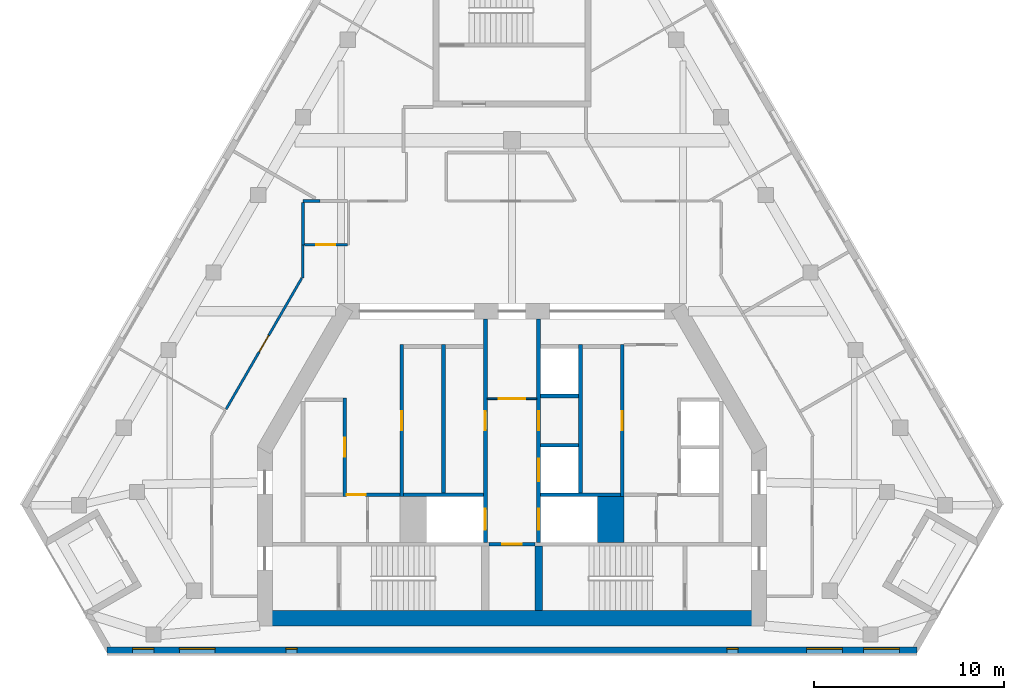
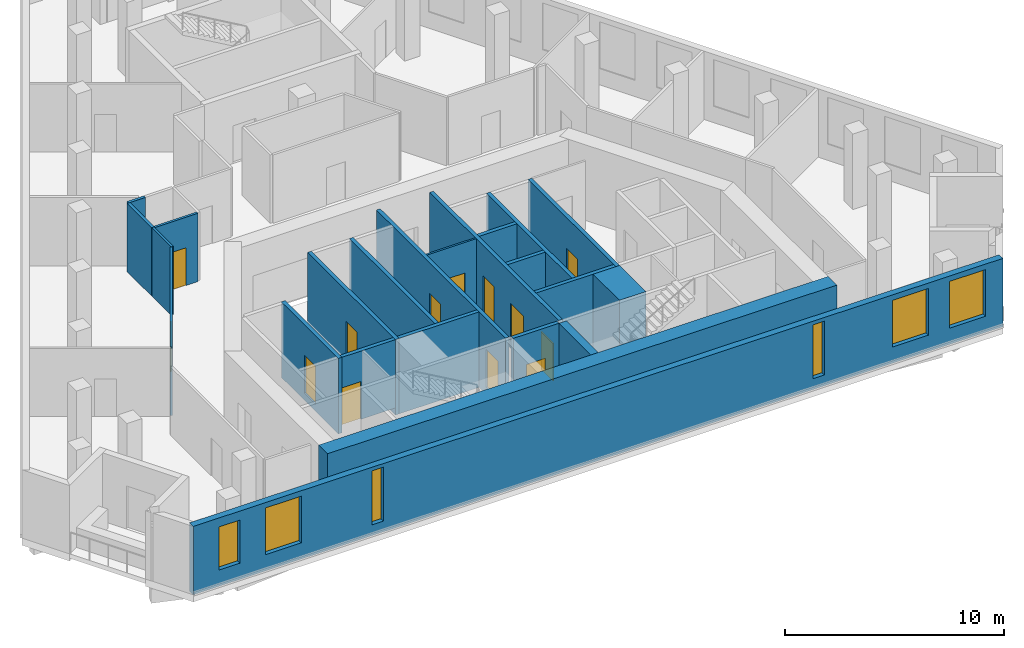
# One storey, part 3 of 8: 23 walls, 13 doors, 6 windows, 19 openings.
"""IFC4 building model written with IfcOpenShell, lengths in metres."""

from ifc_helpers import new_model, si_unit, direction, frame, frame_2d, origin, place, context, subcontext, project, spatial, rectangle, extrude, material, layer, layer_set, type_object, element, fill, save


model = new_model("IFC4")

# Units and contexts
model_context = context("Model", 3, precision=1e-05, world=origin(), true_north=direction((0.0, 1.0)))
body_context = subcontext(model_context, "Body", "Model", "MODEL_VIEW")
ifc_project = project(units=[si_unit("LENGTHUNIT", "METRE"), si_unit("AREAUNIT", "SQUARE_METRE"), si_unit("VOLUMEUNIT", "CUBIC_METRE"), si_unit("PLANEANGLEUNIT", "RADIAN"), si_unit("MASSUNIT", "GRAM", prefix="KILO")], contexts=[model_context])

# Site, building, storey
site_placement = place(None, origin())
site = spatial("IfcSite", under=ifc_project, at=site_placement, CompositionType="ELEMENT")
building_placement = place(site_placement, origin())
building = spatial("IfcBuilding", under=site, at=building_placement, Name="Fogline Exchange Tower", CompositionType="ELEMENT")
storey_placement = place(building_placement, frame((0.0, 0.0, 266.699951171875)))
storey = spatial("IfcBuildingStorey", under=building, at=storey_placement, Name="L60", CompositionType="ELEMENT", Elevation=266.699951171875)

# Wall, opening, door
ifc_material_1 = material(Name="Blockwork partition", Category="masonry")
ifc_layer_1 = layer(ifc_material_1, 0.10009765625)
ifc_layer_set_1 = layer_set([ifc_layer_1], Name="CW10")
wall_type_1 = type_object("IfcWallType", Name="CW10", PredefinedType="PARTITIONING", material=ifc_layer_set_1)
wall_1_placement = place(storey_placement, frame((-1.300048828125, 13.39990234375, 0.0), z_axis=(0.0, 0.0, 1.0), x_axis=(1.0, 0.0, 0.0)))
wall_1 = element("IfcWall", 1, at=wall_1_placement, inside=storey, type_object=wall_type_1, Name="Lift lobby partition", PredefinedType="PARTITIONING", context=body_context, shape_type="SweptSolid", body=[
    extrude(rectangle(XDim=2.60009765625, YDim=0.10009765625, at=frame_2d((1.300048828125, 0.0))), origin(), (0.0, 0.0, 1.0), 3.800048828125),
])
opening_1_placement = place(wall_1_placement, frame((0.60009765625, 0.0, 0.0)))
opening_1 = element("IfcOpeningElement", 2, at=opening_1_placement, cuts=wall_1, Name="Opening T19-C018", PredefinedType="OPENING", context=body_context, shape_type="SweptSolid", body=[
    extrude(rectangle(XDim=1.39990234375, YDim=2.10009765625, at=frame_2d((0.699951171875, 1.050048828125))), frame((0.0, 0.06005859375, 0.0), z_axis=(0.0, -1.0, 0.0), x_axis=(1.0, 0.0, 0.0)), (0.0, 0.0, 1.0), 0.1201171875),
])
ifc_material_2 = material(Name="Steel and timber fire door", Category="steel")
door_type_1 = type_object("IfcDoorType", Name="D-LB1", OperationType="DOUBLE_DOOR_SINGLE_SWING", PredefinedType="DOOR", material=ifc_material_2)
door_1_placement = place(opening_1_placement, origin())
door_1 = element("IfcDoor", 3, at=door_1_placement, inside=storey, type_object=door_type_1, Name="Door to firefighting lift lobby", OperationType="DOUBLE_DOOR_SINGLE_SWING", OverallHeight=2.10009765625, OverallWidth=1.39990234375, PredefinedType="DOOR", context=body_context, shape_type="SweptSolid", body=[
    extrude(rectangle(XDim=1.39990234375, YDim=2.10009765625, at=frame_2d((0.699951171875, 1.050048828125))), frame((0.0, 0.02490234375, 0.0), z_axis=(0.0, -1.0, 0.0), x_axis=(1.0, 0.0, 0.0)), (0.0, 0.0, 1.0), 0.050048828125),
])
fill(opening_1, door_1)

# Wall
ifc_material_3 = material(Name="Concrete C60", Category="concrete")
ifc_layer_2 = layer(ifc_material_3, 1.39990234375)
ifc_layer_set_2 = layer_set([ifc_layer_2], Name="CW140")
wall_type_2 = type_object("IfcWallType", Name="CW140", PredefinedType="SOLIDWALL", material=ifc_layer_set_2)
wall_2_placement = place(storey_placement, frame((5.199951171875, 5.85009765625, -0.39990234375), z_axis=(0.0, 0.0, 1.0), x_axis=(0.0, 1.0, 0.0)))
element("IfcWall", 4, at=wall_2_placement, inside=storey, type_object=wall_type_2, Name="Lift shaft block wall", PredefinedType="SOLIDWALL", context=body_context, shape_type="SweptSolid", body=[
    extrude(rectangle(XDim=2.39990234375, YDim=1.39990234375, at=frame_2d((1.199951171875, 0.0))), origin(), (0.0, 0.0, 1.0), 4.199951171875),
])

# Wall, opening, door
ifc_material_4 = material(Name="Concrete C40", Category="concrete")
ifc_layer_3 = layer(ifc_material_4, 0.199951171875)
ifc_layer_set_3 = layer_set([ifc_layer_3], Name="CW20")
wall_type_3 = type_object("IfcWallType", Name="CW20", PredefinedType="SOLIDWALL", material=ifc_layer_set_3)
wall_3_placement = place(storey_placement, frame((-8.699951171875, 8.35009765625, 0.0), z_axis=(0.0, 0.0, 1.0), x_axis=(1.0, 0.0, 0.0)))
wall_3 = element("IfcWall", 5, at=wall_3_placement, inside=storey, type_object=wall_type_3, Name="WC wall", PredefinedType="SOLIDWALL", context=body_context, shape_type="SweptSolid", body=[
    extrude(rectangle(XDim=2.800048828125, YDim=0.199951171875, at=frame_2d((1.39990234375, 0.0))), origin(), (0.0, 0.0, 1.0), 3.800048828125),
])
opening_2_placement = place(wall_3_placement, origin())
opening_2 = element("IfcOpeningElement", 6, at=opening_2_placement, cuts=wall_3, Name="Opening T19-C007", PredefinedType="OPENING", context=body_context, shape_type="SweptSolid", body=[
    extrude(rectangle(XDim=1.0, YDim=2.10009765625, at=frame_2d((0.5, 1.050048828125))), frame((0.0, 0.10986328125, 0.0), z_axis=(0.0, -1.0, 0.0), x_axis=(1.0, 0.0, 0.0)), (0.0, 0.0, 1.0), 0.219970703125),
])
door_type_2 = type_object("IfcDoorType", Name="D-WC1", OperationType="SINGLE_SWING_LEFT", PredefinedType="DOOR", material=ifc_material_2)
door_2_placement = place(opening_2_placement, frame((1.0, 0.0, 0.0), z_axis=(0.0, 0.0, 1.0), x_axis=(-1.0, 0.0, 0.0)))
door_2 = element("IfcDoor", 7, at=door_2_placement, inside=storey, type_object=door_type_2, Name="Door to Men's WC", OperationType="SINGLE_SWING_LEFT", OverallHeight=2.10009765625, OverallWidth=1.0, PredefinedType="DOOR", context=body_context, shape_type="SweptSolid", body=[
    extrude(rectangle(XDim=1.0, YDim=2.10009765625, at=frame_2d((0.5, 1.050048828125))), frame((0.0, 0.02490234375, 0.0), z_axis=(0.0, -1.0, 0.0), x_axis=(1.0, 0.0, 0.0)), (0.0, 0.0, 1.0), 0.050048828125),
])
fill(opening_2, door_2)

ifc_layer_4 = layer(ifc_material_4, 0.199951171875)
ifc_layer_set_4 = layer_set([ifc_layer_4], Name="CW20R")
wall_type_4 = type_object("IfcWallType", Name="CW20R", PredefinedType="SOLIDWALL", material=ifc_layer_set_4)
wall_4_placement = place(storey_placement, frame((-1.199951171875, 5.75, -0.39990234375), z_axis=(0.0, 0.0, 1.0), x_axis=(1.0, 0.0, 0.0)))
wall_4 = element("IfcWall", 8, at=wall_4_placement, inside=storey, type_object=wall_type_4, Name="Stair enclosure wall", PredefinedType="SOLIDWALL", context=body_context, shape_type="SweptSolid", body=[
    extrude(rectangle(XDim=2.39990234375, YDim=0.199951171875, at=frame_2d((1.199951171875, 0.0))), origin(), (0.0, 0.0, 1.0), 4.199951171875),
])
opening_3_placement = place(wall_4_placement, frame((0.699951171875, 0.0, 0.39990234375)))
opening_3 = element("IfcOpeningElement", 9, at=opening_3_placement, cuts=wall_4, Name="Opening T19-C006", PredefinedType="OPENING", context=body_context, shape_type="SweptSolid", body=[
    extrude(rectangle(XDim=1.0, YDim=2.10009765625, at=frame_2d((0.5, 1.050048828125))), frame((0.0, 0.10986328125, 0.0), z_axis=(0.0, -1.0, 0.0), x_axis=(1.0, 0.0, 0.0)), (0.0, 0.0, 1.0), 0.219970703125),
])
door_type_3 = type_object("IfcDoorType", Name="D-RM1", OperationType="SINGLE_SWING_LEFT", PredefinedType="DOOR", material=ifc_material_2)
door_3_placement = place(opening_3_placement, frame((1.0, 0.0, 0.0), z_axis=(0.0, 0.0, 1.0), x_axis=(-1.0, 0.0, 0.0)))
door_3 = element("IfcDoor", 10, at=door_3_placement, inside=storey, type_object=door_type_3, Name="Door to Archive Store", OperationType="SINGLE_SWING_RIGHT", OverallHeight=2.10009765625, OverallWidth=1.0, PredefinedType="DOOR", context=body_context, shape_type="SweptSolid", body=[
    extrude(rectangle(XDim=1.0, YDim=2.10009765625, at=frame_2d((0.5, 1.050048828125))), frame((0.0, 0.02490234375, 0.0), z_axis=(0.0, -1.0, 0.0), x_axis=(1.0, 0.0, 0.0)), (0.0, 0.0, 1.0), 0.050048828125),
])
fill(opening_3, door_3)

ifc_layer_5 = layer(ifc_material_4, 0.199951171875)
ifc_layer_set_5 = layer_set([ifc_layer_5], Name="CW20S")
wall_type_5 = type_object("IfcWallType", Name="CW20S", PredefinedType="SOLIDWALL", material=ifc_layer_set_5)
wall_5_placement = place(storey_placement, frame((-8.800048828125, 8.25, -0.39990234375), z_axis=(0.0, 0.0, 1.0), x_axis=(0.0, 1.0, 0.0)))
wall_5 = element("IfcWall", 11, at=wall_5_placement, inside=storey, type_object=wall_type_5, Name="Lift shaft wall", PredefinedType="SOLIDWALL", context=body_context, shape_type="SweptSolid", body=[
    extrude(rectangle(XDim=5.199951171875, YDim=0.199951171875, at=frame_2d((2.60009765625, 0.0))), origin(), (0.0, 0.0, 1.0), 4.199951171875),
])
opening_4_placement = place(wall_5_placement, frame((2.10009765625, 0.0, 0.39990234375)))
opening_4 = element("IfcOpeningElement", 12, at=opening_4_placement, cuts=wall_5, Name="Opening T19-C001", PredefinedType="OPENING", context=body_context, shape_type="SweptSolid", body=[
    extrude(rectangle(XDim=1.0, YDim=2.10009765625, at=frame_2d((0.5, 1.050048828125))), frame((0.0, 0.10986328125, 0.0), z_axis=(0.0, -1.0, 0.0), x_axis=(1.0, 0.0, 0.0)), (0.0, 0.0, 1.0), 0.219970703125),
])
door_4_placement = place(opening_4_placement, origin())
door_4 = element("IfcDoor", 13, at=door_4_placement, inside=storey, type_object=door_type_3, Name="Door to Reprographics Room", OperationType="SINGLE_SWING_RIGHT", OverallHeight=2.10009765625, OverallWidth=1.0, PredefinedType="DOOR", context=body_context, shape_type="SweptSolid", body=[
    extrude(rectangle(XDim=1.0, YDim=2.10009765625, at=frame_2d((0.5, 1.050048828125))), frame((0.0, 0.02490234375, 0.0), z_axis=(0.0, -1.0, 0.0), x_axis=(1.0, 0.0, 0.0)), (0.0, 0.0, 1.0), 0.050048828125),
])
fill(opening_4, door_4)

wall_6_placement = place(storey_placement, frame((-5.800048828125, 8.25, -0.39990234375), z_axis=(0.0, 0.0, 1.0), x_axis=(0.0, 1.0, 0.0)))
wall_6 = element("IfcWall", 14, at=wall_6_placement, inside=storey, type_object=wall_type_5, Name="Lift shaft wall", PredefinedType="SOLIDWALL", context=body_context, shape_type="SweptSolid", body=[
    extrude(rectangle(XDim=8.0, YDim=0.199951171875, at=frame_2d((4.0, 0.0))), origin(), (0.0, 0.0, 1.0), 4.199951171875),
])
opening_5_placement = place(wall_6_placement, frame((3.5, 0.0, 0.39990234375)))
opening_5 = element("IfcOpeningElement", 15, at=opening_5_placement, cuts=wall_6, Name="Opening T19-C002", PredefinedType="OPENING", context=body_context, shape_type="SweptSolid", body=[
    extrude(rectangle(XDim=1.0, YDim=2.10009765625, at=frame_2d((0.5, 1.050048828125))), frame((0.0, 0.10986328125, 0.0), z_axis=(0.0, -1.0, 0.0), x_axis=(1.0, 0.0, 0.0)), (0.0, 0.0, 1.0), 0.219970703125),
])
door_5_placement = place(opening_5_placement, frame((1.0, 0.0, 0.0), z_axis=(0.0, 0.0, 1.0), x_axis=(-1.0, 0.0, 0.0)))
door_5 = element("IfcDoor", 16, at=door_5_placement, inside=storey, type_object=door_type_3, Name="Door to Plant Room", OperationType="SINGLE_SWING_RIGHT", OverallHeight=2.10009765625, OverallWidth=1.0, PredefinedType="DOOR", context=body_context, shape_type="SweptSolid", body=[
    extrude(rectangle(XDim=1.0, YDim=2.10009765625, at=frame_2d((0.5, 1.050048828125))), frame((0.0, 0.02490234375, 0.0), z_axis=(0.0, -1.0, 0.0), x_axis=(1.0, 0.0, 0.0)), (0.0, 0.0, 1.0), 0.050048828125),
])
fill(opening_5, door_5)

wall_7_placement = place(storey_placement, frame((5.800048828125, 8.25, -0.39990234375), z_axis=(0.0, 0.0, 1.0), x_axis=(0.0, 1.0, 0.0)))
wall_7 = element("IfcWall", 17, at=wall_7_placement, inside=storey, type_object=wall_type_5, Name="Lift shaft wall", PredefinedType="SOLIDWALL", context=body_context, shape_type="SweptSolid", body=[
    extrude(rectangle(XDim=8.0, YDim=0.199951171875, at=frame_2d((4.0, 0.0))), origin(), (0.0, 0.0, 1.0), 4.199951171875),
])
opening_6_placement = place(wall_7_placement, frame((3.5, 0.0, 0.39990234375)))
opening_6 = element("IfcOpeningElement", 18, at=opening_6_placement, cuts=wall_7, Name="Opening T19-C004", PredefinedType="OPENING", context=body_context, shape_type="SweptSolid", body=[
    extrude(rectangle(XDim=1.0, YDim=2.10009765625, at=frame_2d((0.5, 1.050048828125))), frame((0.0, 0.10986328125, 0.0), z_axis=(0.0, -1.0, 0.0), x_axis=(1.0, 0.0, 0.0)), (0.0, 0.0, 1.0), 0.219970703125),
])
door_6_placement = place(opening_6_placement, origin())
door_6 = element("IfcDoor", 19, at=door_6_placement, inside=storey, type_object=door_type_3, Name="Door to Client Meeting Room", OperationType="SINGLE_SWING_LEFT", OverallHeight=2.10009765625, OverallWidth=1.0, PredefinedType="DOOR", context=body_context, shape_type="SweptSolid", body=[
    extrude(rectangle(XDim=1.0, YDim=2.10009765625, at=frame_2d((0.5, 1.050048828125))), frame((0.0, 0.02490234375, 0.0), z_axis=(0.0, -1.0, 0.0), x_axis=(1.0, 0.0, 0.0)), (0.0, 0.0, 1.0), 0.050048828125),
])
fill(opening_6, door_6)

# Walls
for number, where, z_axis, x_axis, name in (
    (20, (-3.60009765625, 8.449951171875, -0.39990234375), (0.0, 0.0, 1.0), (0.0, 1.0, 0.0), "Lift shaft wall"),
    (21, (3.60009765625, 8.449951171875, -0.39990234375), (0.0, 0.0, 1.0), (0.0, 1.0, 0.0), "Lift shaft wall"),
):
    element("IfcWall", number, at=place(storey_placement, frame(where, z_axis=z_axis, x_axis=x_axis)), inside=storey, type_object=wall_type_5, Name=name, PredefinedType="SOLIDWALL", context=body_context, shape_type="SweptSolid", body=[
        extrude(rectangle(XDim=7.800048828125, YDim=0.199951171875, at=frame_2d((3.89990234375, 0.0))), origin(), (0.0, 0.0, 1.0), 4.199951171875),
    ])

# Wall, openings, doors
wall_8_placement = place(storey_placement, frame((-1.39990234375, 5.85009765625, -0.39990234375), z_axis=(0.0, 0.0, 1.0), x_axis=(0.0, 1.0, 0.0)))
wall_8 = element("IfcWall", 22, at=wall_8_placement, inside=storey, type_object=wall_type_5, Name="Lift lobby wall", PredefinedType="SOLIDWALL", context=body_context, shape_type="SweptSolid", body=[
    extrude(rectangle(XDim=11.75, YDim=0.199951171875, at=frame_2d((5.875, 0.0))), origin(), (0.0, 0.0, 1.0), 4.199951171875),
])
opening_7_placement = place(wall_8_placement, frame((0.64990234375, 0.0, 0.39990234375)))
opening_7 = element("IfcOpeningElement", 23, at=opening_7_placement, cuts=wall_8, Name="Opening T19-LD01", PredefinedType="OPENING", context=body_context, shape_type="SweptSolid", body=[
    extrude(rectangle(XDim=1.10009765625, YDim=2.10009765625, at=frame_2d((0.550048828125, 1.050048828125))), frame((0.0, 0.10986328125, 0.0), z_axis=(0.0, -1.0, 0.0), x_axis=(1.0, 0.0, 0.0)), (0.0, 0.0, 1.0), 0.219970703125),
])
opening_8_placement = place(wall_8_placement, frame((5.89990234375, 0.0, 0.39990234375)))
opening_8 = element("IfcOpeningElement", 24, at=opening_8_placement, cuts=wall_8, Name="Opening T19-C003", PredefinedType="OPENING", context=body_context, shape_type="SweptSolid", body=[
    extrude(rectangle(XDim=1.0, YDim=2.10009765625, at=frame_2d((0.5, 1.050048828125))), frame((0.0, 0.10986328125, 0.0), z_axis=(0.0, -1.0, 0.0), x_axis=(1.0, 0.0, 0.0)), (0.0, 0.0, 1.0), 0.219970703125),
])
door_7_placement = place(opening_8_placement, origin())
door_7 = element("IfcDoor", 25, at=door_7_placement, inside=storey, type_object=door_type_3, Name="Door to Archive", OperationType="SINGLE_SWING_LEFT", OverallHeight=2.10009765625, OverallWidth=1.0, PredefinedType="DOOR", context=body_context, shape_type="SweptSolid", body=[
    extrude(rectangle(XDim=1.0, YDim=2.10009765625, at=frame_2d((0.5, 1.050048828125))), frame((0.0, 0.02490234375, 0.0), z_axis=(0.0, -1.0, 0.0), x_axis=(1.0, 0.0, 0.0)), (0.0, 0.0, 1.0), 0.050048828125),
])
fill(opening_8, door_7)
door_type_4 = type_object("IfcDoorType", Name="LD2", OperationType="SLIDING_TO_RIGHT", PredefinedType="DOOR", material=ifc_material_2)
door_8_placement = place(opening_7_placement, origin())
door_8 = element("IfcDoor", 26, at=door_8_placement, inside=storey, type_object=door_type_4, Name="Landing door FF1", OperationType="SLIDING_TO_RIGHT", OverallHeight=2.10009765625, OverallWidth=1.10009765625, PredefinedType="DOOR", context=body_context, shape_type="SweptSolid", body=[
    extrude(rectangle(XDim=1.10009765625, YDim=2.10009765625, at=frame_2d((0.550048828125, 1.050048828125))), frame((0.0, 0.02490234375, 0.0), z_axis=(0.0, -1.0, 0.0), x_axis=(1.0, 0.0, 0.0)), (0.0, 0.0, 1.0), 0.050048828125),
])
fill(opening_7, door_8)

wall_9_placement = place(storey_placement, frame((1.39990234375, 5.85009765625, -0.39990234375), z_axis=(0.0, 0.0, 1.0), x_axis=(0.0, 1.0, 0.0)))
wall_9 = element("IfcWall", 27, at=wall_9_placement, inside=storey, type_object=wall_type_5, Name="Lift lobby wall", PredefinedType="SOLIDWALL", context=body_context, shape_type="SweptSolid", body=[
    extrude(rectangle(XDim=11.75, YDim=0.199951171875, at=frame_2d((5.875, 0.0))), origin(), (0.0, 0.0, 1.0), 4.199951171875),
])
opening_9_placement = place(wall_9_placement, frame((3.199951171875, 0.0, 0.39990234375)))
opening_9 = element("IfcOpeningElement", 28, at=opening_9_placement, cuts=wall_9, Name="Opening T19-LD04", PredefinedType="OPENING", context=body_context, shape_type="SweptSolid", body=[
    extrude(rectangle(XDim=1.199951171875, YDim=2.10009765625, at=frame_2d((0.60009765625, 1.050048828125))), frame((0.0, 0.10986328125, 0.0), z_axis=(0.0, -1.0, 0.0), x_axis=(1.0, 0.0, 0.0)), (0.0, 0.0, 1.0), 0.219970703125),
])
opening_10_placement = place(wall_9_placement, frame((0.64990234375, 0.0, 0.39990234375)))
opening_10 = element("IfcOpeningElement", 29, at=opening_10_placement, cuts=wall_9, Name="Opening T19-LD05", PredefinedType="OPENING", context=body_context, shape_type="SweptSolid", body=[
    extrude(rectangle(XDim=1.10009765625, YDim=2.10009765625, at=frame_2d((0.550048828125, 1.050048828125))), frame((0.0, 0.10986328125, 0.0), z_axis=(0.0, -1.0, 0.0), x_axis=(1.0, 0.0, 0.0)), (0.0, 0.0, 1.0), 0.219970703125),
])
opening_11_placement = place(wall_9_placement, frame((5.89990234375, 0.0, 0.39990234375)))
opening_11 = element("IfcOpeningElement", 30, at=opening_11_placement, cuts=wall_9, Name="Opening T19-C005", PredefinedType="OPENING", context=body_context, shape_type="SweptSolid", body=[
    extrude(rectangle(XDim=1.0, YDim=2.10009765625, at=frame_2d((0.5, 1.050048828125))), frame((0.0, 0.10986328125, 0.0), z_axis=(0.0, -1.0, 0.0), x_axis=(1.0, 0.0, 0.0)), (0.0, 0.0, 1.0), 0.219970703125),
])
door_9_placement = place(opening_11_placement, frame((1.0, 0.0, 0.0), z_axis=(0.0, 0.0, 1.0), x_axis=(-1.0, 0.0, 0.0)))
door_9 = element("IfcDoor", 31, at=door_9_placement, inside=storey, type_object=door_type_3, Name="Door to Stationery Store", OperationType="SINGLE_SWING_RIGHT", OverallHeight=2.10009765625, OverallWidth=1.0, PredefinedType="DOOR", context=body_context, shape_type="SweptSolid", body=[
    extrude(rectangle(XDim=1.0, YDim=2.10009765625, at=frame_2d((0.5, 1.050048828125))), frame((0.0, 0.02490234375, 0.0), z_axis=(0.0, -1.0, 0.0), x_axis=(1.0, 0.0, 0.0)), (0.0, 0.0, 1.0), 0.050048828125),
])
fill(opening_11, door_9)
door_type_5 = type_object("IfcDoorType", Name="LD1", OperationType="SLIDING_TO_LEFT", PredefinedType="DOOR", material=ifc_material_2)
door_10_placement = place(opening_9_placement, origin())
door_10 = element("IfcDoor", 32, at=door_10_placement, inside=storey, type_object=door_type_5, Name="Landing door HR3", OperationType="SLIDING_TO_LEFT", OverallHeight=2.10009765625, OverallWidth=1.199951171875, PredefinedType="DOOR", context=body_context, shape_type="SweptSolid", body=[
    extrude(rectangle(XDim=1.199951171875, YDim=2.10009765625, at=frame_2d((0.60009765625, 1.050048828125))), frame((0.0, 0.02490234375, 0.0), z_axis=(0.0, -1.0, 0.0), x_axis=(1.0, 0.0, 0.0)), (0.0, 0.0, 1.0), 0.050048828125),
])
fill(opening_9, door_10)
door_11_placement = place(opening_10_placement, origin())
door_11 = element("IfcDoor", 33, at=door_11_placement, inside=storey, type_object=door_type_4, Name="Landing door FF2", OperationType="SLIDING_TO_RIGHT", OverallHeight=2.10009765625, OverallWidth=1.10009765625, PredefinedType="DOOR", context=body_context, shape_type="SweptSolid", body=[
    extrude(rectangle(XDim=1.10009765625, YDim=2.10009765625, at=frame_2d((0.550048828125, 1.050048828125))), frame((0.0, 0.02490234375, 0.0), z_axis=(0.0, -1.0, 0.0), x_axis=(1.0, 0.0, 0.0)), (0.0, 0.0, 1.0), 0.050048828125),
])
fill(opening_10, door_11)

# Walls
for number, where, z_axis, x_axis, name in (
    (34, (-5.699951171875, 8.35009765625, -0.39990234375), (0.0, 0.0, 1.0), (1.0, 0.0, 0.0), "Lift shaft wall"),
    (35, (1.5, 8.35009765625, -0.39990234375), (0.0, 0.0, 1.0), (1.0, 0.0, 0.0), "Lift shaft wall"),
):
    element("IfcWall", number, at=place(storey_placement, frame(where, z_axis=z_axis, x_axis=x_axis)), inside=storey, type_object=wall_type_5, Name=name, PredefinedType="SOLIDWALL", context=body_context, shape_type="SweptSolid", body=[
        extrude(rectangle(XDim=4.199951171875, YDim=0.199951171875, at=frame_2d((2.10009765625, 0.0))), origin(), (0.0, 0.0, 1.0), 4.199951171875),
    ])
for number, where, z_axis, x_axis, name in (
    (36, (1.5, 10.949951171875, -0.39990234375), (0.0, 0.0, 1.0), (1.0, 0.0, 0.0), "Lift shaft wall"),
    (37, (1.5, 13.550048828125, -0.39990234375), (0.0, 0.0, 1.0), (1.0, 0.0, 0.0), "Lift shaft wall"),
):
    element("IfcWall", number, at=place(storey_placement, frame(where, z_axis=z_axis, x_axis=x_axis)), inside=storey, type_object=wall_type_5, Name=name, PredefinedType="SOLIDWALL", context=body_context, shape_type="SweptSolid", body=[
        extrude(rectangle(XDim=2.0, YDim=0.199951171875, at=frame_2d((1.0, 0.0))), origin(), (0.0, 0.0, 1.0), 4.199951171875),
    ])
ifc_layer_6 = layer(ifc_material_4, 0.39990234375)
ifc_layer_set_6 = layer_set([ifc_layer_6], Name="CW40R")
wall_type_6 = type_object("IfcWallType", Name="CW40R", PredefinedType="SOLIDWALL", material=ifc_layer_set_6)
wall_10_placement = place(storey_placement, frame((1.39990234375, 2.25, -0.39990234375), z_axis=(0.0, 0.0, 1.0), x_axis=(0.0, 1.0, 0.0)))
element("IfcWall", 38, at=wall_10_placement, inside=storey, type_object=wall_type_6, Name="Stair and lift shaft wall", PredefinedType="SOLIDWALL", context=body_context, shape_type="SweptSolid", body=[
    extrude(rectangle(XDim=3.39990234375, YDim=0.39990234375, at=frame_2d((1.699951171875, 0.0))), origin(), (0.0, 0.0, 1.0), 4.199951171875),
])

# Wall, openings, windows
ifc_material_5 = material(Name="Brick masonry", Category="masonry")
ifc_layer_7 = layer(ifc_material_5, 0.340087890625)
ifc_layer_set_7 = layer_set([ifc_layer_7], Name="FW1")
wall_type_7 = type_object("IfcWallType", Name="FW1", PredefinedType="SOLIDWALL", material=ifc_layer_set_7)
wall_11_placement = place(storey_placement, frame((-21.296875, 0.169921875, 0.0), z_axis=(0.0, 0.0, 1.0), x_axis=(1.0, 0.0, 0.0)))
wall_11 = element("IfcWall", 39, at=wall_11_placement, inside=storey, type_object=wall_type_7, Name="Brick wall L60 S", PredefinedType="SOLIDWALL", context=body_context, shape_type="SweptSolid", body=[
    extrude(rectangle(XDim=42.59375, YDim=0.340087890625, at=frame_2d((21.296875, 0.0))), origin(), (0.0, 0.0, 1.0), 3.800048828125),
])
opening_12_placement = place(wall_11_placement, frame((3.796875, 0.0, 0.89990234375)))
opening_12 = element("IfcOpeningElement", 40, at=opening_12_placement, cuts=wall_11, Name="Opening W3", PredefinedType="OPENING", context=body_context, shape_type="SweptSolid", body=[
    extrude(rectangle(XDim=1.885009765625, YDim=2.60009765625, at=frame_2d((0.9423828125, 1.300048828125))), frame((0.0, 0.18017578125, 0.0), z_axis=(0.0, -1.0, 0.0), x_axis=(1.0, 0.0, 0.0)), (0.0, 0.0, 1.0), 0.360107421875),
])
opening_13_placement = place(wall_11_placement, frame((36.796875, 0.0, 0.89990234375)))
opening_13 = element("IfcOpeningElement", 41, at=opening_13_placement, cuts=wall_11, Name="Opening W3", PredefinedType="OPENING", context=body_context, shape_type="SweptSolid", body=[
    extrude(rectangle(XDim=1.885009765625, YDim=2.60009765625, at=frame_2d((0.9423828125, 1.300048828125))), frame((0.0, 0.18017578125, 0.0), z_axis=(0.0, -1.0, 0.0), x_axis=(1.0, 0.0, 0.0)), (0.0, 0.0, 1.0), 0.360107421875),
])
opening_14_placement = place(wall_11_placement, frame((39.796875, 0.0, 0.89990234375)))
opening_14 = element("IfcOpeningElement", 42, at=opening_14_placement, cuts=wall_11, Name="Opening W3", PredefinedType="OPENING", context=body_context, shape_type="SweptSolid", body=[
    extrude(rectangle(XDim=1.885009765625, YDim=2.60009765625, at=frame_2d((0.9423828125, 1.300048828125))), frame((0.0, 0.18017578125, 0.0), z_axis=(0.0, -1.0, 0.0), x_axis=(1.0, 0.0, 0.0)), (0.0, 0.0, 1.0), 0.360107421875),
])
opening_15_placement = place(wall_11_placement, frame((1.341064453125, 0.0, 0.89990234375)))
opening_15 = element("IfcOpeningElement", 43, at=opening_15_placement, cuts=wall_11, Name="Opening W4", PredefinedType="OPENING", context=body_context, shape_type="SweptSolid", body=[
    extrude(rectangle(XDim=1.114990234375, YDim=2.39990234375, at=frame_2d((0.5576171875, 1.199951171875))), frame((0.0, 0.18017578125, 0.0), z_axis=(0.0, -1.0, 0.0), x_axis=(1.0, 0.0, 0.0)), (0.0, 0.0, 1.0), 0.360107421875),
])
opening_16_placement = place(wall_11_placement, frame((9.39697265625, 0.0, 0.60009765625)))
opening_16 = element("IfcOpeningElement", 44, at=opening_16_placement, cuts=wall_11, Name="Opening W5", PredefinedType="OPENING", context=body_context, shape_type="SweptSolid", body=[
    extrude(rectangle(XDim=0.60009765625, YDim=3.0, at=frame_2d((0.300048828125, 1.5))), frame((0.0, 0.18017578125, 0.0), z_axis=(0.0, -1.0, 0.0), x_axis=(1.0, 0.0, 0.0)), (0.0, 0.0, 1.0), 0.360107421875),
])
opening_17_placement = place(wall_11_placement, frame((32.596923828125, 0.0, 0.60009765625)))
opening_17 = element("IfcOpeningElement", 45, at=opening_17_placement, cuts=wall_11, Name="Opening W5", PredefinedType="OPENING", context=body_context, shape_type="SweptSolid", body=[
    extrude(rectangle(XDim=0.60009765625, YDim=3.0, at=frame_2d((0.300048828125, 1.5))), frame((0.0, 0.18017578125, 0.0), z_axis=(0.0, -1.0, 0.0), x_axis=(1.0, 0.0, 0.0)), (0.0, 0.0, 1.0), 0.360107421875),
])
ifc_material_6 = material(Name="Aluminium and glass", Category="aluminium")
window_type_1 = type_object("IfcWindowType", Name="W3", PartitioningType="SINGLE_PANEL", PredefinedType="WINDOW", material=ifc_material_6)
window_1_placement = place(opening_12_placement, origin())
window_1 = element("IfcWindow", 46, at=window_1_placement, inside=storey, type_object=window_type_1, Name="W3 W3", OverallHeight=2.60009765625, OverallWidth=1.885009765625, PartitioningType="SINGLE_PANEL", PredefinedType="WINDOW", context=body_context, shape_type="SweptSolid", body=[
    extrude(rectangle(XDim=1.885009765625, YDim=2.60009765625, at=frame_2d((0.9423828125, 1.300048828125))), frame((0.0, 0.110107421875, 0.0), z_axis=(0.0, -1.0, 0.0), x_axis=(1.0, 0.0, 0.0)), (0.0, 0.0, 1.0), 0.06005859375),
])
fill(opening_12, window_1)
window_2_placement = place(opening_13_placement, origin())
window_2 = element("IfcWindow", 47, at=window_2_placement, inside=storey, type_object=window_type_1, Name="W3 W3", OverallHeight=2.60009765625, OverallWidth=1.885009765625, PartitioningType="SINGLE_PANEL", PredefinedType="WINDOW", context=body_context, shape_type="SweptSolid", body=[
    extrude(rectangle(XDim=1.885009765625, YDim=2.60009765625, at=frame_2d((0.9423828125, 1.300048828125))), frame((0.0, 0.110107421875, 0.0), z_axis=(0.0, -1.0, 0.0), x_axis=(1.0, 0.0, 0.0)), (0.0, 0.0, 1.0), 0.06005859375),
])
fill(opening_13, window_2)
window_3_placement = place(opening_14_placement, origin())
window_3 = element("IfcWindow", 48, at=window_3_placement, inside=storey, type_object=window_type_1, Name="W3 W3", OverallHeight=2.60009765625, OverallWidth=1.885009765625, PartitioningType="SINGLE_PANEL", PredefinedType="WINDOW", context=body_context, shape_type="SweptSolid", body=[
    extrude(rectangle(XDim=1.885009765625, YDim=2.60009765625, at=frame_2d((0.9423828125, 1.300048828125))), frame((0.0, 0.110107421875, 0.0), z_axis=(0.0, -1.0, 0.0), x_axis=(1.0, 0.0, 0.0)), (0.0, 0.0, 1.0), 0.06005859375),
])
fill(opening_14, window_3)
window_type_2 = type_object("IfcWindowType", Name="W4", PartitioningType="SINGLE_PANEL", PredefinedType="WINDOW", material=ifc_material_6)
window_4_placement = place(opening_15_placement, origin())
window_4 = element("IfcWindow", 49, at=window_4_placement, inside=storey, type_object=window_type_2, Name="W4 W4", OverallHeight=2.39990234375, OverallWidth=1.114990234375, PartitioningType="SINGLE_PANEL", PredefinedType="WINDOW", context=body_context, shape_type="SweptSolid", body=[
    extrude(rectangle(XDim=1.114990234375, YDim=2.39990234375, at=frame_2d((0.5576171875, 1.199951171875))), frame((0.0, 0.110107421875, 0.0), z_axis=(0.0, -1.0, 0.0), x_axis=(1.0, 0.0, 0.0)), (0.0, 0.0, 1.0), 0.06005859375),
])
fill(opening_15, window_4)
window_type_3 = type_object("IfcWindowType", Name="W5", PartitioningType="SINGLE_PANEL", PredefinedType="WINDOW", material=ifc_material_6)
window_5_placement = place(opening_16_placement, origin())
window_5 = element("IfcWindow", 50, at=window_5_placement, inside=storey, type_object=window_type_3, Name="W5 W5", OverallHeight=3.0, OverallWidth=0.60009765625, PartitioningType="SINGLE_PANEL", PredefinedType="WINDOW", context=body_context, shape_type="SweptSolid", body=[
    extrude(rectangle(XDim=0.60009765625, YDim=3.0, at=frame_2d((0.300048828125, 1.5))), frame((0.0, 0.110107421875, 0.0), z_axis=(0.0, -1.0, 0.0), x_axis=(1.0, 0.0, 0.0)), (0.0, 0.0, 1.0), 0.06005859375),
])
fill(opening_16, window_5)
window_6_placement = place(opening_17_placement, origin())
window_6 = element("IfcWindow", 51, at=window_6_placement, inside=storey, type_object=window_type_3, Name="W5 W5", OverallHeight=3.0, OverallWidth=0.60009765625, PartitioningType="SINGLE_PANEL", PredefinedType="WINDOW", context=body_context, shape_type="SweptSolid", body=[
    extrude(rectangle(XDim=0.60009765625, YDim=3.0, at=frame_2d((0.300048828125, 1.5))), frame((0.0, 0.110107421875, 0.0), z_axis=(0.0, -1.0, 0.0), x_axis=(1.0, 0.0, 0.0)), (0.0, 0.0, 1.0), 0.06005859375),
])
fill(opening_17, window_6)

# Wall, opening, door
ifc_material_7 = material(Name="Plasterboard corridor partition with mineral wool, 2 layers each side")
ifc_layer_8 = layer(ifc_material_7, 0.125)
ifc_layer_set_8 = layer_set([ifc_layer_8], Name="PW2")
wall_type_8 = type_object("IfcWallType", Name="PW2", PredefinedType="PARTITIONING", material=ifc_layer_set_8)
wall_12_placement = place(storey_placement, frame((-10.925048828125, 21.5, 0.0), z_axis=(0.0, 0.0, 1.0), x_axis=(1.0, 0.0, 0.0)))
wall_12 = element("IfcWall", 52, at=wall_12_placement, inside=storey, type_object=wall_type_8, Name="wall-L60-W011", PredefinedType="PARTITIONING", context=body_context, shape_type="SweptSolid", body=[
    extrude(rectangle(XDim=2.262451171875, YDim=0.125, at=frame_2d((1.13134765625, 0.0))), origin(), (0.0, 0.0, 1.0), 3.800048828125),
])
opening_18_placement = place(wall_12_placement, frame((0.63134765625, 0.0, 0.0)))
opening_18 = element("IfcOpeningElement", 53, at=opening_18_placement, cuts=wall_12, Name="Opening T19-D007", PredefinedType="OPENING", context=body_context, shape_type="SweptSolid", body=[
    extrude(rectangle(XDim=1.0, YDim=2.10009765625, at=frame_2d((0.5, 1.050048828125))), frame((0.0, 0.072509765625, 0.0), z_axis=(0.0, -1.0, 0.0), x_axis=(1.0, 0.0, 0.0)), (0.0, 0.0, 1.0), 0.14501953125),
])
ifc_material_8 = material(Name="Fire-rated timber door leaf with steel frame", Category="steel")
door_type_6 = type_object("IfcDoorType", Name="D3", OperationType="SINGLE_SWING_LEFT", PredefinedType="DOOR", material=ifc_material_8)
door_12_placement = place(opening_18_placement, origin())
door_12 = element("IfcDoor", 54, at=door_12_placement, inside=storey, type_object=door_type_6, Name="door-L60-D007", OperationType="SINGLE_SWING_LEFT", OverallHeight=2.10009765625, OverallWidth=1.0, PredefinedType="DOOR", context=body_context, shape_type="SweptSolid", body=[
    extrude(rectangle(XDim=1.0, YDim=2.10009765625, at=frame_2d((0.5, 1.050048828125))), frame((0.0, 0.02490234375, 0.0), z_axis=(0.0, -1.0, 0.0), x_axis=(1.0, 0.0, 0.0)), (0.0, 0.0, 1.0), 0.050048828125),
])
fill(opening_18, door_12)

# Wall
wall_13_placement = place(storey_placement, frame((-11.0, 19.739990234375, 0.0), z_axis=(0.0, 0.0, 1.0), x_axis=(0.0, 1.0, 0.0)))
element("IfcWall", 55, at=wall_13_placement, inside=storey, type_object=wall_type_8, Name="wall-L60-W013", PredefinedType="PARTITIONING", context=body_context, shape_type="SweptSolid", body=[
    extrude(rectangle(XDim=1.760009765625, YDim=0.125, at=frame_2d((0.8798828125, 0.0))), origin(), (0.0, 0.0, 1.0), 3.800048828125),
])

# Wall, opening, door
wall_14_placement = place(storey_placement, frame((-15.040771484375, 12.849853515625, 0.0), z_axis=(0.0, 0.0, 1.0), x_axis=(0.499996916303, 0.86602718415, 0.0)))
wall_14 = element("IfcWall", 56, at=wall_14_placement, inside=storey, type_object=wall_type_8, Name="wall-L60-W014", PredefinedType="PARTITIONING", context=body_context, shape_type="SweptSolid", body=[
    extrude(rectangle(XDim=7.95654296875, YDim=0.125, at=frame_2d((3.978271484375, 0.0))), origin(), (0.0, 0.0, 1.0), 3.800048828125),
])
opening_19_placement = place(wall_14_placement, frame((3.478271484375, 0.0, 0.0)))
opening_19 = element("IfcOpeningElement", 57, at=opening_19_placement, cuts=wall_14, Name="Opening T19-D008", PredefinedType="OPENING", context=body_context, shape_type="SweptSolid", body=[
    extrude(rectangle(XDim=1.0, YDim=2.10009765625, at=frame_2d((0.5, 1.050048828125))), frame((0.0, 0.072509765625, 0.0), z_axis=(0.0, -1.0, 0.0), x_axis=(1.0, 0.0, 0.0)), (0.0, 0.0, 1.0), 0.14501953125),
])
door_13_placement = place(opening_19_placement, origin())
door_13 = element("IfcDoor", 58, at=door_13_placement, inside=storey, type_object=door_type_6, Name="door-L60-D008", OperationType="SINGLE_SWING_RIGHT", OverallHeight=2.10009765625, OverallWidth=1.0, PredefinedType="DOOR", context=body_context, shape_type="SweptSolid", body=[
    extrude(rectangle(XDim=1.0, YDim=2.10009765625, at=frame_2d((0.5, 1.050048828125))), frame((0.0, 0.02490234375, 0.0), z_axis=(0.0, -1.0, 0.0), x_axis=(1.0, 0.0, 0.0)), (0.0, 0.0, 1.0), 0.050048828125),
])
fill(opening_19, door_13)

# Walls
ifc_material_9 = material(Name="Plasterboard demising partition with mineral wool and acoustic board")
ifc_layer_9 = layer(ifc_material_9, 0.14990234375)
ifc_layer_set_9 = layer_set([ifc_layer_9], Name="PW3")
wall_type_9 = type_object("IfcWallType", Name="PW3", PredefinedType="PARTITIONING", material=ifc_layer_set_9)
wall_15_placement = place(storey_placement, frame((-11.0, 21.5, 0.0), z_axis=(0.0, 0.0, 1.0), x_axis=(0.0, 1.0, 0.0)))
element("IfcWall", 59, at=wall_15_placement, inside=storey, type_object=wall_type_9, Name="wall-L60-W036", PredefinedType="PARTITIONING", context=body_context, shape_type="SweptSolid", body=[
    extrude(rectangle(XDim=2.22509765625, YDim=0.14990234375, at=frame_2d((1.112548828125, 0.0))), origin(), (0.0, 0.0, 1.0), 3.800048828125),
])
wall_16_placement = place(storey_placement, frame((-11.0, 23.800048828125, 0.0), z_axis=(0.0, 0.0, 1.0), x_axis=(1.0, 0.0, 0.0)))
element("IfcWall", 60, at=wall_16_placement, inside=storey, type_object=wall_type_9, Name="wall-L60-W037", PredefinedType="PARTITIONING", context=body_context, shape_type="SweptSolid", body=[
    extrude(rectangle(XDim=0.89208984375, YDim=0.14990234375, at=frame_2d((0.446044921875, 0.0))), origin(), (0.0, 0.0, 1.0), 3.800048828125),
])
ifc_material_10 = material(Name="Concrete C50", Category="concrete")
ifc_layer_10 = layer(ifc_material_10, 0.800048828125)
ifc_layer_set_10 = layer_set([ifc_layer_10], Name="SW04")
wall_type_10 = type_object("IfcWallType", Name="SW04", PredefinedType="SHEAR", material=ifc_layer_set_10)
wall_17_placement = place(storey_placement, frame((-13.39990234375, 1.85009765625, 0.0), z_axis=(0.0, 0.0, 1.0), x_axis=(1.0, 0.0, 0.0)))
element("IfcWall", 61, at=wall_17_placement, inside=storey, type_object=wall_type_10, Name="L60-W901", PredefinedType="SHEAR", context=body_context, shape_type="SweptSolid", body=[
    extrude(rectangle(XDim=26.7998046875, YDim=0.800048828125, at=frame_2d((13.39990234375, 0.0))), origin(), (0.0, 0.0, 1.0), 4.199951171875),
])

save(model, "model.ifc")
